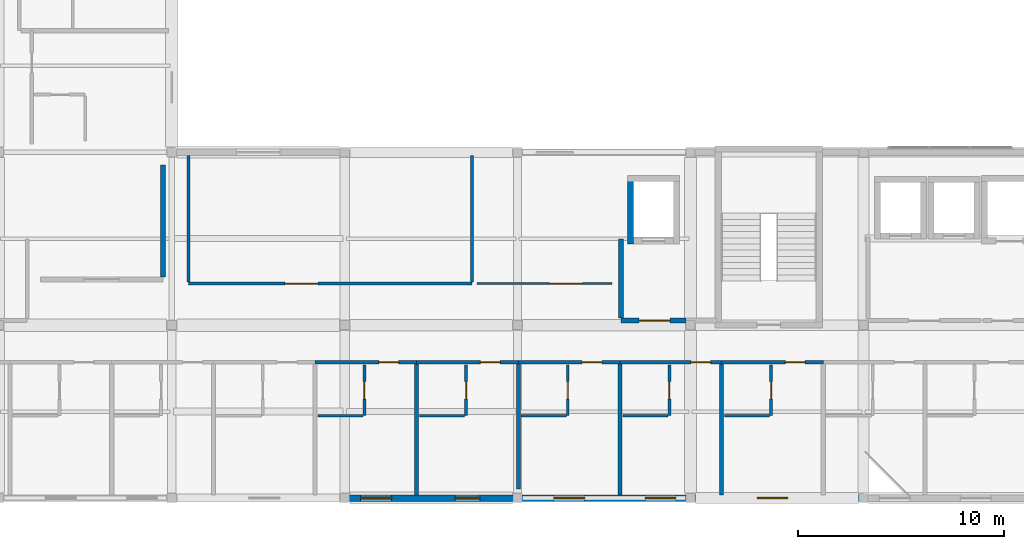
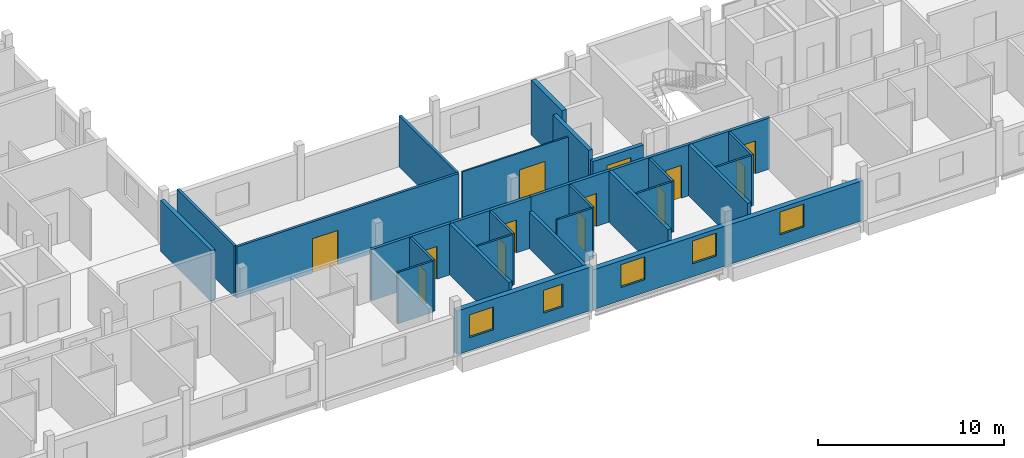
# One storey, part 12 of 19: 29 walls, 13 doors, 5 windows, 18 openings.
"""IFC4 building model written with IfcOpenShell, lengths in metres."""

import ifcopenshell
import ifcopenshell.guid

model = None  # the IFC model being written
_history = None  # IfcOwnerHistory: only IFC2X3 demands one
_inside = {}  # id of a spatial element -> (the spatial element, [elements in it])
_under = {}  # id of a project, library or spatial element -> (it, [spatial elements below it])
_declared = {}  # id of a project -> (the project, [libraries it declares])
_typed = {}  # id of a type object -> (the type object, [elements of that type])
_made_of = {}  # id of a material, layer set ... -> (it, [elements and type objects made of it])


def new_model(schema):
    """Start an empty IFC model of exactly this schema.

    Asked for "IFC4X3", IfcOpenShell would pick the latest addendum, in which some entities
    have other attributes; the version numbers below select the first issue.
    IFC2X3 requires an IfcOwnerHistory on every rooted entity: one is made here for all.
    """
    global model, _history
    if schema == "IFC4X3":
        model = ifcopenshell.file(schema_version=(4, 3, 0, 0))
    else:
        model = ifcopenshell.file(schema=schema)
    _inside.clear()
    _under.clear()
    _declared.clear()
    _typed.clear()
    _made_of.clear()
    _history = None
    if model.schema == "IFC2X3":
        org = make("IfcOrganization", Name="unknown")
        user = make(
            "IfcPersonAndOrganization",
            ThePerson=make("IfcPerson", FamilyName="unknown"),
            TheOrganization=org,
        )
        app = make(
            "IfcApplication",
            ApplicationDeveloper=org,
            Version="unknown",
            ApplicationFullName="unknown",
            ApplicationIdentifier="unknown",
        )
        _history = make(
            "IfcOwnerHistory",
            OwningUser=user,
            OwningApplication=app,
            ChangeAction="ADDED",
            CreationDate=0,
        )
    return model


def make(cls, **values):
    """One entity of the class cls with the attributes given. An attribute that is None is left unset."""
    return model.create_entity(
        cls, **{name: value for name, value in values.items() if value is not None}
    )


def rooted(cls, **values):
    """An entity with a GlobalId (a new one), such as an element, a storey or a relation."""
    return make(cls, GlobalId=ifcopenshell.guid.new(), OwnerHistory=_history, **values)


def si_unit(unit_type, name, prefix=None):
    """IfcSIUnit, for example si_unit("LENGTHUNIT", "METRE", prefix="MILLI")."""
    return make("IfcSIUnit", UnitType=unit_type, Prefix=prefix, Name=name)


def derived_unit(unit_type, elements):
    """IfcDerivedUnit: a product of units, each with its exponent."""
    return make(
        "IfcDerivedUnit",
        Elements=[
            make("IfcDerivedUnitElement", Unit=unit, Exponent=power)
            for unit, power in elements
        ],
        UnitType=unit_type,
    )


def assignment(units):
    """IfcUnitAssignment: the units of a project."""
    return None if units is None else make("IfcUnitAssignment", Units=units)


def point(xyz):
    """IfcCartesianPoint."""
    return None if xyz is None else make("IfcCartesianPoint", Coordinates=xyz)


def direction(xyz):
    """IfcDirection."""
    return None if xyz is None else make("IfcDirection", DirectionRatios=xyz)


def frame(location, z_axis=None, x_axis=None):
    """IfcAxis2Placement3D, a coordinate frame: its origin and axes. An axis left out is left unset."""
    return make(
        "IfcAxis2Placement3D",
        Location=point(location),
        Axis=direction(z_axis),
        RefDirection=direction(x_axis),
    )


def frame_2d(location, x_axis=None):
    """IfcAxis2Placement2D, a coordinate frame in the plane: its origin and x axis."""
    return make(
        "IfcAxis2Placement2D", Location=point(location), RefDirection=direction(x_axis)
    )


def origin():
    """The frame at (0, 0, 0) with its axes left unset."""
    return frame((0.0, 0.0, 0.0))


def place(relative_to, where):
    """IfcLocalPlacement: puts the frame where relative to a parent placement (None: the world)."""
    return make(
        "IfcLocalPlacement", PlacementRelTo=relative_to, RelativePlacement=where
    )


def context(
    kind, dimensions, precision=None, world=None, true_north=None, identifier=None
):
    """IfcGeometricRepresentationContext, for example the 3D "Model" context."""
    return make(
        "IfcGeometricRepresentationContext",
        ContextIdentifier=identifier,
        ContextType=kind,
        CoordinateSpaceDimension=dimensions,
        Precision=precision,
        WorldCoordinateSystem=world,
        TrueNorth=true_north,
    )


def subcontext(parent, identifier, kind, view, scale=None):
    """IfcGeometricRepresentationSubContext, for example "Body" below "Model"."""
    return make(
        "IfcGeometricRepresentationSubContext",
        ContextIdentifier=identifier,
        ContextType=kind,
        ParentContext=parent,
        TargetScale=scale,
        TargetView=view,
    )


def project(units=None, contexts=None):
    """IfcProject with its units and contexts."""
    return rooted(
        "IfcProject",
        Name="project",
        RepresentationContexts=contexts,
        UnitsInContext=assignment(units),
    )


def spatial(cls, under=None, at=None, **own):
    """A site, building, storey or space (cls), placed at a placement, below another one or the project."""
    s = rooted(cls, ObjectPlacement=at, **own)
    if under is not None:
        _under.setdefault(under.id(), (under, []))[1].append(s)
    return s


def profile(cls, at=None, kind="AREA", **sizes):
    """A parametric profile (cls). Its sizes go by their IFC names, for example OverallWidth=200.0."""
    return make(cls, ProfileType=kind, Position=at, **sizes)


def rectangle(**sizes):
    """IfcRectangleProfileDef."""
    return profile("IfcRectangleProfileDef", **sizes)


def extrude(swept, where, along, depth):
    """IfcExtrudedAreaSolid: the profile swept, set in the frame where, extruded along a direction by depth."""
    return make(
        "IfcExtrudedAreaSolid",
        SweptArea=swept,
        Position=where,
        ExtrudedDirection=direction(along),
        Depth=depth,
    )


def shape(context_of_items, identifier, shape_type, items):
    """IfcShapeRepresentation: the items that make up one representation, for example the "Body"."""
    return make(
        "IfcShapeRepresentation",
        ContextOfItems=context_of_items,
        RepresentationIdentifier=identifier,
        RepresentationType=shape_type,
        Items=items,
    )


def material(Name=None, Category=None):
    """IfcMaterial."""
    return make("IfcMaterial", Name=Name, Category=Category)


def layer(
    of_material, thickness, ventilated=None, Name=None, Category=None, Priority=None
):
    """IfcMaterialLayer: one layer of a wall or slab, of a material (None: an air gap)."""
    return make(
        "IfcMaterialLayer",
        Material=of_material,
        LayerThickness=thickness,
        IsVentilated=ventilated,
        Name=Name,
        Category=Category,
        Priority=Priority,
    )


def layer_set(layers, Name=None):
    """IfcMaterialLayerSet."""
    return make("IfcMaterialLayerSet", MaterialLayers=layers, LayerSetName=Name)


def made_of(thing, what):
    """Note that an element or type object is made of a material, layer set ...; save() writes the relation."""
    if what is not None:
        _made_of.setdefault(what.id(), (what, []))[1].append(thing)
    return thing


def type_object(cls, material=None, **own):
    """A type object (cls), such as IfcWallType, which elements share."""
    return made_of(rooted(cls, **own), material)


def element(
    cls,
    number,
    at=None,
    inside=None,
    cuts=None,
    type_object=None,
    material=None,
    context=None,
    identifier="Body",
    shape_type=None,
    held_by="IfcProductDefinitionShape",
    body=None,
    shapes=None,
    **own,
):
    """One element of the class cls, such as IfcWall. Its Tag is "e" and its number.

    at: its placement. inside: the storey or other place that contains it. cuts: it is an
    opening in that element (IfcRelVoidsElement). A single representation is given by context,
    identifier, shape_type and body (its items); several are given by shapes. held_by: the class
    of the entity that holds the representations. save() writes the other relations.
    """
    e = rooted(cls, Tag="e%d" % number, ObjectPlacement=at, **own)
    if body is not None:
        shapes = [shape(context, identifier, shape_type, body)]
    if shapes is not None:
        e.Representation = make(held_by, Representations=shapes)
    if inside is not None:
        _inside.setdefault(inside.id(), (inside, []))[1].append(e)
    if cuts is not None:
        rooted(
            "IfcRelVoidsElement", RelatingBuildingElement=cuts, RelatedOpeningElement=e
        )
    if type_object is not None:
        _typed.setdefault(type_object.id(), (type_object, []))[1].append(e)
    return made_of(e, material)


def fill(opening, filler):
    """IfcRelFillsElement: the door or window that sits in an opening."""
    return rooted(
        "IfcRelFillsElement",
        RelatingOpeningElement=opening,
        RelatedBuildingElement=filler,
    )


def aggregate(whole, parts):
    """IfcRelAggregates: a whole, such as a stair, and the parts it consists of."""
    return rooted("IfcRelAggregates", RelatingObject=whole, RelatedObjects=parts)


def save(model, path):
    """Write the relations noted so far, then the file.

    IfcRelAggregates (storeys below a building ...), IfcRelContainedInSpatialStructure (elements
    in a storey), IfcRelDefinesByType, IfcRelAssociatesMaterial and IfcRelDeclares: one each for
    every whole, place, type object, material and project.
    """
    for whole, parts in _under.values():
        aggregate(whole, parts)
    for where, things in _inside.values():
        rooted(
            "IfcRelContainedInSpatialStructure",
            RelatedElements=things,
            RelatingStructure=where,
        )
    for kind, things in _typed.values():
        rooted("IfcRelDefinesByType", RelatedObjects=things, RelatingType=kind)
    for what, things in _made_of.values():
        rooted("IfcRelAssociatesMaterial", RelatedObjects=things, RelatingMaterial=what)
    for by, libraries in _declared.values():
        rooted("IfcRelDeclares", RelatingContext=by, RelatedDefinitions=libraries)
    model.write(path)


model = new_model("IFC4")

# Units and contexts
model_context = context("Model", 3, precision=1e-05, world=origin(), true_north=direction((0.0, 1.0)))
body_context = subcontext(model_context, "Body", "Model", "MODEL_VIEW")
ifc_project = project(units=[si_unit("LENGTHUNIT", "METRE"), si_unit("AREAUNIT", "SQUARE_METRE"), si_unit("VOLUMEUNIT", "CUBIC_METRE"), si_unit("PLANEANGLEUNIT", "RADIAN"), si_unit("MASSUNIT", "GRAM", prefix="KILO"), derived_unit("THERMALTRANSMITTANCEUNIT", [(si_unit("POWERUNIT", "WATT"), 1), (si_unit("LENGTHUNIT", "METRE"), -2), (si_unit("THERMODYNAMICTEMPERATUREUNIT", "KELVIN"), -1)])], contexts=[model_context])

# Site, building, storey
site_placement = place(None, origin())
site = spatial("IfcSite", under=ifc_project, at=site_placement, CompositionType="ELEMENT")
building_placement = place(site_placement, origin())
building = spatial("IfcBuilding", under=site, at=building_placement, Name="Barrovel Congress Hotel", CompositionType="ELEMENT")
storey_placement = place(building_placement, frame((0.0, 0.0, 43.5)))
storey = spatial("IfcBuildingStorey", under=building, at=storey_placement, Name="L11", CompositionType="ELEMENT", Elevation=43.5)

# Wall, openings, windows
ifc_material_1 = material(Name="Fired Clay Brick Masonry", Category="masonry")
ifc_layer_1 = layer(ifc_material_1, 0.320068359375)
ifc_layer_set_1 = layer_set([ifc_layer_1], Name="Fired Clay Brick Masonry")
wall_type_1 = type_object("IfcWallType", Name="EW-BRK320", PredefinedType="STANDARD", material=ifc_layer_set_1)
wall_1_placement = place(storey_placement, frame((58.800048828125, 4.199951171875, 0.0), z_axis=(0.0, 0.0, 1.0), x_axis=(1.0, 0.0, 0.0)))
wall_1 = element("IfcWall", 1, at=wall_1_placement, inside=storey, type_object=wall_type_1, Name="EW:L11:HS-S:P05", PredefinedType="STANDARD", context=body_context, shape_type="SweptSolid", body=[
    extrude(rectangle(XDim=8.39990234375, YDim=0.320068359375, at=frame_2d((4.199951171875, 0.0))), origin(), (0.0, 0.0, 1.0), 2.860107421875),
])
opening_1_placement = place(wall_1_placement, frame((0.78125, 0.0, 0.85009765625)))
opening_1 = element("IfcOpeningElement", 2, at=opening_1_placement, cuts=wall_1, Name="Opening WN-07", PredefinedType="OPENING", context=body_context, shape_type="SweptSolid", body=[
    extrude(rectangle(XDim=1.5, YDim=1.5, at=frame_2d((0.75, 0.75))), frame((0.0, 0.169921875, 0.0), z_axis=(0.0, -1.0, 0.0), x_axis=(1.0, 0.0, 0.0)), (0.0, 0.0, 1.0), 0.340087890625),
])
opening_2_placement = place(wall_1_placement, frame((5.36865234375, 0.0, 0.85009765625)))
opening_2 = element("IfcOpeningElement", 3, at=opening_2_placement, cuts=wall_1, Name="Opening WN-06", PredefinedType="OPENING", context=body_context, shape_type="SweptSolid", body=[
    extrude(rectangle(XDim=1.199951171875, YDim=1.5, at=frame_2d((0.60009765625, 0.75))), frame((0.0, 0.169921875, 0.0), z_axis=(0.0, -1.0, 0.0), x_axis=(1.0, 0.0, 0.0)), (0.0, 0.0, 1.0), 0.340087890625),
])
ifc_material_2 = material(Name="Double Low-E Insulated Glazing", Category="glass")
window_type_1 = type_object("IfcWindowType", Name="WIN-WN-06", PartitioningType="SINGLE_PANEL", PredefinedType="WINDOW", material=ifc_material_2)
window_1_placement = place(opening_2_placement, origin())
window_1 = element("IfcWindow", 4, at=window_1_placement, inside=storey, type_object=window_type_1, Name="WIN:L11:U10", OverallHeight=1.5, OverallWidth=1.199951171875, PartitioningType="SINGLE_PANEL", PredefinedType="WINDOW", context=body_context, shape_type="SweptSolid", body=[
    extrude(rectangle(XDim=1.199951171875, YDim=1.5, at=frame_2d((0.60009765625, 0.75))), frame((0.0, 0.030029296875, 0.0), z_axis=(0.0, -1.0, 0.0), x_axis=(1.0, 0.0, 0.0)), (0.0, 0.0, 1.0), 0.06005859375),
])
fill(opening_2, window_1)
window_type_2 = type_object("IfcWindowType", Name="WIN-WN-07", PartitioningType="SINGLE_PANEL", PredefinedType="WINDOW", material=ifc_material_2)
window_2_placement = place(opening_1_placement, origin())
window_2 = element("IfcWindow", 5, at=window_2_placement, inside=storey, type_object=window_type_2, Name="WIN:L11:U09", OverallHeight=1.5, OverallWidth=1.5, PartitioningType="SINGLE_PANEL", PredefinedType="WINDOW", context=body_context, shape_type="SweptSolid", body=[
    extrude(rectangle(XDim=1.5, YDim=1.5, at=frame_2d((0.75, 0.75))), frame((0.0, 0.030029296875, 0.0), z_axis=(0.0, -1.0, 0.0), x_axis=(1.0, 0.0, 0.0)), (0.0, 0.0, 1.0), 0.06005859375),
])
fill(opening_1, window_2)

wall_2_placement = place(storey_placement, frame((67.199951171875, 4.199951171875, 0.0), z_axis=(0.0, 0.0, 1.0), x_axis=(1.0, 0.0, 0.0)))
wall_2 = element("IfcWall", 6, at=wall_2_placement, inside=storey, type_object=wall_type_1, Name="EW:L11:HS-S:P06", PredefinedType="STANDARD", context=body_context, shape_type="SweptSolid", body=[
    extrude(rectangle(XDim=16.800048828125, YDim=0.320068359375, at=frame_2d((8.39990234375, 0.0))), origin(), (0.0, 0.0, 1.0), 2.610107421875),
])
opening_3_placement = place(wall_2_placement, frame((1.756103515625, 0.0, 0.85009765625)))
opening_3 = element("IfcOpeningElement", 7, at=opening_3_placement, cuts=wall_2, Name="Opening WN-07", PredefinedType="OPENING", context=body_context, shape_type="SweptSolid", body=[
    extrude(rectangle(XDim=1.5, YDim=1.5, at=frame_2d((0.75, 0.75))), frame((0.0, 0.169921875, 0.0), z_axis=(0.0, -1.0, 0.0), x_axis=(1.0, 0.0, 0.0)), (0.0, 0.0, 1.0), 0.340087890625),
])
opening_4_placement = place(wall_2_placement, frame((6.193603515625, 0.0, 0.85009765625)))
opening_4 = element("IfcOpeningElement", 8, at=opening_4_placement, cuts=wall_2, Name="Opening WN-07", PredefinedType="OPENING", context=body_context, shape_type="SweptSolid", body=[
    extrude(rectangle(XDim=1.5, YDim=1.5, at=frame_2d((0.75, 0.75))), frame((0.0, 0.169921875, 0.0), z_axis=(0.0, -1.0, 0.0), x_axis=(1.0, 0.0, 0.0)), (0.0, 0.0, 1.0), 0.340087890625),
])
opening_5_placement = place(wall_2_placement, frame((11.631103515625, 0.0, 0.85009765625)))
opening_5 = element("IfcOpeningElement", 9, at=opening_5_placement, cuts=wall_2, Name="Opening WN-07", PredefinedType="OPENING", context=body_context, shape_type="SweptSolid", body=[
    extrude(rectangle(XDim=1.5, YDim=1.5, at=frame_2d((0.75, 0.75))), frame((0.0, 0.169921875, 0.0), z_axis=(0.0, -1.0, 0.0), x_axis=(1.0, 0.0, 0.0)), (0.0, 0.0, 1.0), 0.340087890625),
])
window_3_placement = place(opening_3_placement, origin())
window_3 = element("IfcWindow", 10, at=window_3_placement, inside=storey, type_object=window_type_2, Name="WIN:L11:U11", OverallHeight=1.5, OverallWidth=1.5, PartitioningType="SINGLE_PANEL", PredefinedType="WINDOW", context=body_context, shape_type="SweptSolid", body=[
    extrude(rectangle(XDim=1.5, YDim=1.5, at=frame_2d((0.75, 0.75))), frame((0.0, 0.030029296875, 0.0), z_axis=(0.0, -1.0, 0.0), x_axis=(1.0, 0.0, 0.0)), (0.0, 0.0, 1.0), 0.06005859375),
])
fill(opening_3, window_3)
window_4_placement = place(opening_4_placement, origin())
window_4 = element("IfcWindow", 11, at=window_4_placement, inside=storey, type_object=window_type_2, Name="WIN:L11:U12", OverallHeight=1.5, OverallWidth=1.5, PartitioningType="SINGLE_PANEL", PredefinedType="WINDOW", context=body_context, shape_type="SweptSolid", body=[
    extrude(rectangle(XDim=1.5, YDim=1.5, at=frame_2d((0.75, 0.75))), frame((0.0, 0.030029296875, 0.0), z_axis=(0.0, -1.0, 0.0), x_axis=(1.0, 0.0, 0.0)), (0.0, 0.0, 1.0), 0.06005859375),
])
fill(opening_4, window_4)
window_5_placement = place(opening_5_placement, origin())
window_5 = element("IfcWindow", 12, at=window_5_placement, inside=storey, type_object=window_type_2, Name="WIN:L11:U13", OverallHeight=1.5, OverallWidth=1.5, PartitioningType="SINGLE_PANEL", PredefinedType="WINDOW", context=body_context, shape_type="SweptSolid", body=[
    extrude(rectangle(XDim=1.5, YDim=1.5, at=frame_2d((0.75, 0.75))), frame((0.0, 0.030029296875, 0.0), z_axis=(0.0, -1.0, 0.0), x_axis=(1.0, 0.0, 0.0)), (0.0, 0.0, 1.0), 0.06005859375),
])
fill(opening_5, window_5)

# Wall, opening, door
ifc_material_3 = material(Name="Gypsum Acoustic Stud", Category="gypsum")
ifc_layer_2 = layer(ifc_material_3, 0.179931640625)
ifc_layer_set_2 = layer_set([ifc_layer_2], Name="Gypsum Acoustic Stud")
wall_type_2 = type_object("IfcWallType", Name="PW-ACU-180", PredefinedType="PARTITIONING", material=ifc_layer_set_2)
wall_3_placement = place(storey_placement, frame((57.362548828125, 10.800048828125, 0.0), z_axis=(0.0, 0.0, 1.0), x_axis=(1.0, 0.0, 0.0)))
wall_3 = element("IfcWall", 13, at=wall_3_placement, inside=storey, type_object=wall_type_2, Name="PW:L11:U09:COR", PredefinedType="PARTITIONING", context=body_context, shape_type="SweptSolid", body=[
    extrude(rectangle(XDim=4.9375, YDim=0.179931640625, at=frame_2d((2.46875, 0.0))), origin(), (0.0, 0.0, 1.0), 3.35498046875),
])
opening_6_placement = place(wall_3_placement, frame((3.09814453125, 0.0, 0.0)))
opening_6 = element("IfcOpeningElement", 14, at=opening_6_placement, cuts=wall_3, Name="Opening ID-HTL", PredefinedType="OPENING", context=body_context, shape_type="SweptSolid", body=[
    extrude(rectangle(XDim=0.9599609375, YDim=2.14990234375, at=frame_2d((0.47998046875, 1.074951171875))), frame((0.0, 0.10009765625, 0.0), z_axis=(0.0, -1.0, 0.0), x_axis=(1.0, 0.0, 0.0)), (0.0, 0.0, 1.0), 0.199951171875),
])
ifc_material_4 = material(Name="Solid Oak Acoustic Timber Door", Category="wood")
door_type_1 = type_object("IfcDoorType", Name="IDR-ID-HTL", OperationType="NOTDEFINED", PredefinedType="DOOR", material=ifc_material_4)
door_1_placement = place(opening_6_placement, origin())
door_1 = element("IfcDoor", 15, at=door_1_placement, inside=storey, type_object=door_type_1, Name="DR:L11:U09:ENT", OperationType="SINGLE_SWING_RIGHT", OverallHeight=2.14990234375, OverallWidth=0.9599609375, PredefinedType="DOOR", context=body_context, shape_type="SweptSolid", body=[
    extrude(rectangle(XDim=0.9599609375, YDim=2.14990234375, at=frame_2d((0.47998046875, 1.074951171875))), frame((0.0, 0.02490234375, 0.0), z_axis=(0.0, -1.0, 0.0), x_axis=(1.0, 0.0, 0.0)), (0.0, 0.0, 1.0), 0.050048828125),
])
fill(opening_6, door_1)

wall_4_placement = place(storey_placement, frame((62.300048828125, 10.800048828125, 0.0), z_axis=(0.0, 0.0, 1.0), x_axis=(1.0, 0.0, 0.0)))
wall_4 = element("IfcWall", 16, at=wall_4_placement, inside=storey, type_object=wall_type_2, Name="PW:L11:U10:COR", PredefinedType="PARTITIONING", context=body_context, shape_type="SweptSolid", body=[
    extrude(rectangle(XDim=4.9375, YDim=0.179931640625, at=frame_2d((2.46875, 0.0))), origin(), (0.0, 0.0, 1.0), 3.35498046875),
])
opening_7_placement = place(wall_4_placement, frame((3.098388671875, 0.0, 0.0)))
opening_7 = element("IfcOpeningElement", 17, at=opening_7_placement, cuts=wall_4, Name="Opening ID-HTL", PredefinedType="OPENING", context=body_context, shape_type="SweptSolid", body=[
    extrude(rectangle(XDim=0.9599609375, YDim=2.14990234375, at=frame_2d((0.47998046875, 1.074951171875))), frame((0.0, 0.10009765625, 0.0), z_axis=(0.0, -1.0, 0.0), x_axis=(1.0, 0.0, 0.0)), (0.0, 0.0, 1.0), 0.199951171875),
])
door_2_placement = place(opening_7_placement, origin())
door_2 = element("IfcDoor", 18, at=door_2_placement, inside=storey, type_object=door_type_1, Name="DR:L11:U10:ENT", OperationType="SINGLE_SWING_RIGHT", OverallHeight=2.14990234375, OverallWidth=0.9599609375, PredefinedType="DOOR", context=body_context, shape_type="SweptSolid", body=[
    extrude(rectangle(XDim=0.9599609375, YDim=2.14990234375, at=frame_2d((0.47998046875, 1.074951171875))), frame((0.0, 0.02490234375, 0.0), z_axis=(0.0, -1.0, 0.0), x_axis=(1.0, 0.0, 0.0)), (0.0, 0.0, 1.0), 0.050048828125),
])
fill(opening_7, door_2)

wall_5_placement = place(storey_placement, frame((67.237548828125, 10.800048828125, 0.0), z_axis=(0.0, 0.0, 1.0), x_axis=(1.0, 0.0, 0.0)))
wall_5 = element("IfcWall", 19, at=wall_5_placement, inside=storey, type_object=wall_type_2, Name="PW:L11:U11:COR", PredefinedType="PARTITIONING", context=body_context, shape_type="SweptSolid", body=[
    extrude(rectangle(XDim=4.9375, YDim=0.179931640625, at=frame_2d((2.46875, 0.0))), origin(), (0.0, 0.0, 1.0), 3.35498046875),
])
opening_8_placement = place(wall_5_placement, frame((3.098388671875, 0.0, 0.0)))
opening_8 = element("IfcOpeningElement", 20, at=opening_8_placement, cuts=wall_5, Name="Opening ID-HTL", PredefinedType="OPENING", context=body_context, shape_type="SweptSolid", body=[
    extrude(rectangle(XDim=0.9599609375, YDim=2.14990234375, at=frame_2d((0.47998046875, 1.074951171875))), frame((0.0, 0.10009765625, 0.0), z_axis=(0.0, -1.0, 0.0), x_axis=(1.0, 0.0, 0.0)), (0.0, 0.0, 1.0), 0.199951171875),
])
door_3_placement = place(opening_8_placement, origin())
door_3 = element("IfcDoor", 21, at=door_3_placement, inside=storey, type_object=door_type_1, Name="DR:L11:U11:ENT", OperationType="SINGLE_SWING_RIGHT", OverallHeight=2.14990234375, OverallWidth=0.9599609375, PredefinedType="DOOR", context=body_context, shape_type="SweptSolid", body=[
    extrude(rectangle(XDim=0.9599609375, YDim=2.14990234375, at=frame_2d((0.47998046875, 1.074951171875))), frame((0.0, 0.02490234375, 0.0), z_axis=(0.0, -1.0, 0.0), x_axis=(1.0, 0.0, 0.0)), (0.0, 0.0, 1.0), 0.050048828125),
])
fill(opening_8, door_3)

wall_6_placement = place(storey_placement, frame((72.175048828125, 10.800048828125, 0.0), z_axis=(0.0, 0.0, 1.0), x_axis=(1.0, 0.0, 0.0)))
wall_6 = element("IfcWall", 22, at=wall_6_placement, inside=storey, type_object=wall_type_2, Name="PW:L11:U12:COR", PredefinedType="PARTITIONING", context=body_context, shape_type="SweptSolid", body=[
    extrude(rectangle(XDim=4.9375, YDim=0.179931640625, at=frame_2d((2.46875, 0.0))), origin(), (0.0, 0.0, 1.0), 3.35498046875),
])
opening_9_placement = place(wall_6_placement, frame((3.4482421875, 0.0, 0.0)))
opening_9 = element("IfcOpeningElement", 23, at=opening_9_placement, cuts=wall_6, Name="Opening ID-HTL", PredefinedType="OPENING", context=body_context, shape_type="SweptSolid", body=[
    extrude(rectangle(XDim=0.9599609375, YDim=2.14990234375, at=frame_2d((0.47998046875, 1.074951171875))), frame((0.0, 0.10009765625, 0.0), z_axis=(0.0, -1.0, 0.0), x_axis=(1.0, 0.0, 0.0)), (0.0, 0.0, 1.0), 0.199951171875),
])
door_4_placement = place(opening_9_placement, origin())
door_4 = element("IfcDoor", 24, at=door_4_placement, inside=storey, type_object=door_type_1, Name="DR:L11:U12:ENT", OperationType="SINGLE_SWING_RIGHT", OverallHeight=2.14990234375, OverallWidth=0.9599609375, PredefinedType="DOOR", context=body_context, shape_type="SweptSolid", body=[
    extrude(rectangle(XDim=0.9599609375, YDim=2.14990234375, at=frame_2d((0.47998046875, 1.074951171875))), frame((0.0, 0.02490234375, 0.0), z_axis=(0.0, -1.0, 0.0), x_axis=(1.0, 0.0, 0.0)), (0.0, 0.0, 1.0), 0.050048828125),
])
fill(opening_9, door_4)

wall_7_placement = place(storey_placement, frame((77.112548828125, 10.800048828125, 0.0), z_axis=(0.0, 0.0, 1.0), x_axis=(1.0, 0.0, 0.0)))
wall_7 = element("IfcWall", 25, at=wall_7_placement, inside=storey, type_object=wall_type_2, Name="PW:L11:U13:COR", PredefinedType="PARTITIONING", context=body_context, shape_type="SweptSolid", body=[
    extrude(rectangle(XDim=4.9375, YDim=0.179931640625, at=frame_2d((2.46875, 0.0))), origin(), (0.0, 0.0, 1.0), 3.35498046875),
])
opening_10_placement = place(wall_7_placement, frame((3.098388671875, 0.0, 0.0)))
opening_10 = element("IfcOpeningElement", 26, at=opening_10_placement, cuts=wall_7, Name="Opening ID-HTL", PredefinedType="OPENING", context=body_context, shape_type="SweptSolid", body=[
    extrude(rectangle(XDim=0.9599609375, YDim=2.14990234375, at=frame_2d((0.47998046875, 1.074951171875))), frame((0.0, 0.10009765625, 0.0), z_axis=(0.0, -1.0, 0.0), x_axis=(1.0, 0.0, 0.0)), (0.0, 0.0, 1.0), 0.199951171875),
])
door_5_placement = place(opening_10_placement, origin())
door_5 = element("IfcDoor", 27, at=door_5_placement, inside=storey, type_object=door_type_1, Name="DR:L11:U13:ENT", OperationType="SINGLE_SWING_RIGHT", OverallHeight=2.14990234375, OverallWidth=0.9599609375, PredefinedType="DOOR", context=body_context, shape_type="SweptSolid", body=[
    extrude(rectangle(XDim=0.9599609375, YDim=2.14990234375, at=frame_2d((0.47998046875, 1.074951171875))), frame((0.0, 0.02490234375, 0.0), z_axis=(0.0, -1.0, 0.0), x_axis=(1.0, 0.0, 0.0)), (0.0, 0.0, 1.0), 0.050048828125),
])
fill(opening_10, door_5)

# Walls
ifc_layer_3 = layer(ifc_material_3, 0.1201171875)
ifc_layer_set_3 = layer_set([ifc_layer_3], Name="Gypsum Acoustic Stud")
wall_type_3 = type_object("IfcWallType", Name="PW-INT-120", PredefinedType="PARTITIONING", material=ifc_layer_set_3)
for number, where, z_axis, x_axis, name in (
    (28, (57.50244140625, 8.199951171875, 0.0), (0.0, 0.0, 1.0), (1.0, 0.0, 0.0), "PW:L11:U09:B2"),
    (29, (62.43994140625, 8.199951171875, 0.0), (0.0, 0.0, 1.0), (1.0, 0.0, 0.0), "PW:L11:U10:B2"),
    (30, (67.37744140625, 8.199951171875, 0.0), (0.0, 0.0, 1.0), (1.0, 0.0, 0.0), "PW:L11:U11:B2"),
    (31, (72.31494140625, 8.199951171875, 0.0), (0.0, 0.0, 1.0), (1.0, 0.0, 0.0), "PW:L11:U12:B2"),
    (32, (77.25244140625, 8.199951171875, 0.0), (0.0, 0.0, 1.0), (1.0, 0.0, 0.0), "PW:L11:U13:B2"),
):
    element("IfcWall", number, at=place(storey_placement, frame(where, z_axis=z_axis, x_axis=x_axis)), inside=storey, type_object=wall_type_3, Name=name, PredefinedType="PARTITIONING", context=body_context, shape_type="SweptSolid", body=[
        extrude(rectangle(XDim=2.18994140625, YDim=0.1201171875, at=frame_2d((1.094970703125, 0.0))), origin(), (0.0, 0.0, 1.0), 3.35498046875),
    ])

# Wall, opening, door
ifc_layer_4 = layer(ifc_material_3, 0.10009765625)
ifc_layer_set_4 = layer_set([ifc_layer_4], Name="Gypsum Acoustic Stud")
wall_type_4 = type_object("IfcWallType", Name="PW-LGT-100", PredefinedType="PARTITIONING", material=ifc_layer_set_4)
wall_8_placement = place(storey_placement, frame((65.219970703125, 14.6201171875, 0.0), z_axis=(0.0, 0.0, 1.0), x_axis=(1.0, 0.0, 0.0)))
wall_8 = element("IfcWall", 33, at=wall_8_placement, inside=storey, type_object=wall_type_4, Name="RW:SP:L11:VIP-BD:S", PredefinedType="PARTITIONING", context=body_context, shape_type="SweptSolid", body=[
    extrude(rectangle(XDim=6.56005859375, YDim=0.10009765625, at=frame_2d((3.280029296875, 0.0))), origin(), (0.0, 0.0, 1.0), 3.35498046875),
])
opening_11_placement = place(wall_8_placement, frame((3.530029296875, 0.0, 0.0)))
opening_11 = element("IfcOpeningElement", 34, at=opening_11_placement, cuts=wall_8, Name="Opening ID-MTG", PredefinedType="OPENING", context=body_context, shape_type="SweptSolid", body=[
    extrude(rectangle(XDim=1.60009765625, YDim=2.25, at=frame_2d((0.800048828125, 1.125))), frame((0.0, 0.06005859375, 0.0), z_axis=(0.0, -1.0, 0.0), x_axis=(1.0, 0.0, 0.0)), (0.0, 0.0, 1.0), 0.1201171875),
])
door_type_2 = type_object("IfcDoorType", Name="IDR-ID-MTG", OperationType="NOTDEFINED", PredefinedType="DOOR", material=ifc_material_4)
door_6_placement = place(opening_11_placement, origin())
door_6 = element("IfcDoor", 35, at=door_6_placement, inside=storey, type_object=door_type_2, Name="RD:SP:L11:VIP-BD", OperationType="DOUBLE_DOOR_SINGLE_SWING", OverallHeight=2.25, OverallWidth=1.60009765625, PredefinedType="DOOR", context=body_context, shape_type="SweptSolid", body=[
    extrude(rectangle(XDim=1.60009765625, YDim=2.25, at=frame_2d((0.800048828125, 1.125))), frame((0.0, 0.02490234375, 0.0), z_axis=(0.0, -1.0, 0.0), x_axis=(1.0, 0.0, 0.0)), (0.0, 0.0, 1.0), 0.050048828125),
])
fill(opening_11, door_6)

# Walls
ifc_layer_5 = layer(ifc_material_1, 0.199951171875)
ifc_layer_set_5 = layer_set([ifc_layer_5], Name="Fired Clay Brick Masonry")
wall_type_5 = type_object("IfcWallType", Name="PW-MAS-200", PredefinedType="PARTITIONING", material=ifc_layer_set_5)
wall_9_placement = place(storey_placement, frame((62.300048828125, 4.360107421875, 0.0), z_axis=(0.0, 0.0, 1.0), x_axis=(0.0, 1.0, 0.0)))
element("IfcWall", 36, at=wall_9_placement, inside=storey, type_object=wall_type_5, Name="PW:L11:U09:DEM", PredefinedType="PARTITIONING", context=body_context, shape_type="SweptSolid", body=[
    extrude(rectangle(XDim=6.349853515625, YDim=0.199951171875, at=frame_2d((3.1748046875, 0.0))), origin(), (0.0, 0.0, 1.0), 3.35498046875),
])
wall_10_placement = place(storey_placement, frame((67.237548828125, 4.64990234375, 0.0), z_axis=(0.0, 0.0, 1.0), x_axis=(0.0, 1.0, 0.0)))
element("IfcWall", 37, at=wall_10_placement, inside=storey, type_object=wall_type_5, Name="PW:L11:U10:DEM", PredefinedType="PARTITIONING", context=body_context, shape_type="SweptSolid", body=[
    extrude(rectangle(XDim=6.06005859375, YDim=0.199951171875, at=frame_2d((3.030029296875, 0.0))), origin(), (0.0, 0.0, 1.0), 2.409912109375),
])
for number, where, z_axis, x_axis, name in (
    (38, (72.175048828125, 4.360107421875, 0.0), (0.0, 0.0, 1.0), (0.0, 1.0, 0.0), "PW:L11:U11:DEM"),
    (39, (77.112548828125, 4.360107421875, 0.0), (0.0, 0.0, 1.0), (0.0, 1.0, 0.0), "PW:L11:U12:DEM"),
):
    element("IfcWall", number, at=place(storey_placement, frame(where, z_axis=z_axis, x_axis=x_axis)), inside=storey, type_object=wall_type_5, Name=name, PredefinedType="PARTITIONING", context=body_context, shape_type="SweptSolid", body=[
        extrude(rectangle(XDim=6.349853515625, YDim=0.199951171875, at=frame_2d((3.1748046875, 0.0))), origin(), (0.0, 0.0, 1.0), 3.35498046875),
    ])

# Wall, opening, door
ifc_layer_6 = layer(ifc_material_1, 0.239990234375)
ifc_layer_set_6 = layer_set([ifc_layer_6], Name="Fired Clay Brick Masonry")
wall_type_6 = type_object("IfcWallType", Name="PW-MAS-240", PredefinedType="PARTITIONING", material=ifc_layer_set_6)
wall_11_placement = place(storey_placement, frame((72.219970703125, 12.820068359375, 0.0), z_axis=(0.0, 0.0, 1.0), x_axis=(1.0, 0.0, 0.0)))
wall_11 = element("IfcWall", 40, at=wall_11_placement, inside=storey, type_object=wall_type_6, Name="RW:SP:L11:FFL-2:S", PredefinedType="PARTITIONING", context=body_context, shape_type="SweptSolid", body=[
    extrude(rectangle(XDim=3.155029296875, YDim=0.239990234375, at=frame_2d((1.57763671875, 0.0))), origin(), (0.0, 0.0, 1.0), 2.7099609375),
])
opening_12_placement = place(wall_11_placement, frame((0.8798828125, 0.0, 0.0)))
opening_12 = element("IfcOpeningElement", 41, at=opening_12_placement, cuts=wall_11, Name="Opening ID-FFL", PredefinedType="OPENING", context=body_context, shape_type="SweptSolid", body=[
    extrude(rectangle(XDim=1.5, YDim=2.14990234375, at=frame_2d((0.75, 1.074951171875))), frame((0.0, 0.1298828125, 0.0), z_axis=(0.0, -1.0, 0.0), x_axis=(1.0, 0.0, 0.0)), (0.0, 0.0, 1.0), 0.260009765625),
])
ifc_material_5 = material(Name="Painted Hollow-Metal Steel Door", Category="steel")
door_type_3 = type_object("IfcDoorType", Name="IDR-ID-FFL", OperationType="NOTDEFINED", PredefinedType="DOOR", material=ifc_material_5)
door_7_placement = place(opening_12_placement, origin())
door_7 = element("IfcDoor", 42, at=door_7_placement, inside=storey, type_object=door_type_3, Name="RD:SP:L11:FFL-2", OperationType="DOUBLE_DOOR_SINGLE_SWING", OverallHeight=2.14990234375, OverallWidth=1.5, PredefinedType="DOOR", context=body_context, shape_type="SweptSolid", body=[
    extrude(rectangle(XDim=1.5, YDim=2.14990234375, at=frame_2d((0.75, 1.074951171875))), frame((0.0, 0.02490234375, 0.0), z_axis=(0.0, -1.0, 0.0), x_axis=(1.0, 0.0, 0.0)), (0.0, 0.0, 1.0), 0.050048828125),
])
fill(opening_12, door_7)

# Walls
wall_12_placement = place(storey_placement, frame((72.219970703125, 12.93994140625, 0.0), z_axis=(0.0, 0.0, 1.0), x_axis=(0.0, 1.0, 0.0)))
element("IfcWall", 43, at=wall_12_placement, inside=storey, type_object=wall_type_6, Name="RW:SP:L11:FFL-2:W", PredefinedType="PARTITIONING", context=body_context, shape_type="SweptSolid", body=[
    extrude(rectangle(XDim=3.840087890625, YDim=0.239990234375, at=frame_2d((1.919921875, 0.0))), origin(), (0.0, 0.0, 1.0), 3.35498046875),
])
wall_13_placement = place(storey_placement, frame((49.97998046875, 14.93994140625, 0.0), z_axis=(0.0, 0.0, 1.0), x_axis=(0.0, 1.0, 0.0)))
element("IfcWall", 44, at=wall_13_placement, inside=storey, type_object=wall_type_6, Name="RW:SP:L11:LINEN:E", PredefinedType="PARTITIONING", context=body_context, shape_type="SweptSolid", body=[
    extrude(rectangle(XDim=5.43994140625, YDim=0.239990234375, at=frame_2d((2.719970703125, 0.0))), origin(), (0.0, 0.0, 1.0), 3.35498046875),
])

# Wall, opening, door
ifc_layer_7 = layer(ifc_material_3, 0.14990234375)
ifc_layer_set_7 = layer_set([ifc_layer_7], Name="Gypsum Acoustic Stud")
wall_type_7 = type_object("IfcWallType", Name="PW-STD-150", PredefinedType="PARTITIONING", material=ifc_layer_set_7)
wall_14_placement = place(storey_placement, frame((51.219970703125, 14.6201171875, 0.0), z_axis=(0.0, 0.0, 1.0), x_axis=(1.0, 0.0, 0.0)))
wall_14 = element("IfcWall", 45, at=wall_14_placement, inside=storey, type_object=wall_type_7, Name="RW:SP:L11:CLUB:S", PredefinedType="PARTITIONING", context=body_context, shape_type="SweptSolid", body=[
    extrude(rectangle(XDim=13.760009765625, YDim=0.14990234375, at=frame_2d((6.8798828125, 0.0))), origin(), (0.0, 0.0, 1.0), 3.35498046875),
])
opening_13_placement = place(wall_14_placement, frame((4.679931640625, 0.0, 0.0)))
opening_13 = element("IfcOpeningElement", 46, at=opening_13_placement, cuts=wall_14, Name="Opening ID-MTG", PredefinedType="OPENING", context=body_context, shape_type="SweptSolid", body=[
    extrude(rectangle(XDim=1.60009765625, YDim=2.25, at=frame_2d((0.800048828125, 1.125))), frame((0.0, 0.0849609375, 0.0), z_axis=(0.0, -1.0, 0.0), x_axis=(1.0, 0.0, 0.0)), (0.0, 0.0, 1.0), 0.169921875),
])
door_8_placement = place(opening_13_placement, origin())
door_8 = element("IfcDoor", 47, at=door_8_placement, inside=storey, type_object=door_type_2, Name="RD:SP:L11:CLUB", OperationType="DOUBLE_DOOR_SINGLE_SWING", OverallHeight=2.25, OverallWidth=1.60009765625, PredefinedType="DOOR", context=body_context, shape_type="SweptSolid", body=[
    extrude(rectangle(XDim=1.60009765625, YDim=2.25, at=frame_2d((0.800048828125, 1.125))), frame((0.0, 0.02490234375, 0.0), z_axis=(0.0, -1.0, 0.0), x_axis=(1.0, 0.0, 0.0)), (0.0, 0.0, 1.0), 0.050048828125),
])
fill(opening_13, door_8)

# Walls
for number, where, z_axis, x_axis, name in (
    (48, (51.219970703125, 14.695068359375, 0.0), (0.0, 0.0, 1.0), (0.0, 1.0, 0.0), "RW:SP:L11:CLUB:W"),
    (49, (64.97998046875, 14.695068359375, 0.0), (0.0, 0.0, 1.0), (0.0, 1.0, 0.0), "RW:SP:L11:CLUB:E"),
):
    element("IfcWall", number, at=place(storey_placement, frame(where, z_axis=z_axis, x_axis=x_axis)), inside=storey, type_object=wall_type_7, Name=name, PredefinedType="PARTITIONING", context=body_context, shape_type="SweptSolid", body=[
        extrude(rectangle(XDim=6.14501953125, YDim=0.14990234375, at=frame_2d((3.072509765625, 0.0))), origin(), (0.0, 0.0, 1.0), 3.35498046875),
    ])

# Wall, opening, door
ifc_material_6 = material(Name="Gypsum Moisture Board", Category="gypsum")
ifc_layer_8 = layer(ifc_material_6, 0.139892578125)
ifc_layer_set_8 = layer_set([ifc_layer_8], Name="Gypsum Moisture Board")
wall_type_8 = type_object("IfcWallType", Name="PW-WET-140", PredefinedType="PARTITIONING", material=ifc_layer_set_8)
wall_15_placement = place(storey_placement, frame((59.762451171875, 8.199951171875, 0.0), z_axis=(0.0, 0.0, 1.0), x_axis=(0.0, 1.0, 0.0)))
wall_15 = element("IfcWall", 50, at=wall_15_placement, inside=storey, type_object=wall_type_8, Name="PW:L11:U09:B1", PredefinedType="PARTITIONING", context=body_context, shape_type="SweptSolid", body=[
    extrude(rectangle(XDim=2.4599609375, YDim=0.139892578125, at=frame_2d((1.22998046875, 0.0))), origin(), (0.0, 0.0, 1.0), 3.35498046875),
])
opening_14_placement = place(wall_15_placement, frame((0.800048828125, 0.0, 0.0)))
opening_14 = element("IfcOpeningElement", 51, at=opening_14_placement, cuts=wall_15, Name="Opening ID-ENS", PredefinedType="OPENING", context=body_context, shape_type="SweptSolid", body=[
    extrude(rectangle(XDim=0.860107421875, YDim=2.10009765625, at=frame_2d((0.43017578125, 1.050048828125))), frame((0.0, 0.080078125, 0.0), z_axis=(0.0, -1.0, 0.0), x_axis=(1.0, 0.0, 0.0)), (0.0, 0.0, 1.0), 0.159912109375),
])
ifc_material_7 = material(Name="Lacquered Timber Moisture Door", Category="wood")
door_type_4 = type_object("IfcDoorType", Name="IDR-ID-ENS", OperationType="NOTDEFINED", PredefinedType="DOOR", material=ifc_material_7)
door_9_placement = place(opening_14_placement, origin())
door_9 = element("IfcDoor", 52, at=door_9_placement, inside=storey, type_object=door_type_4, Name="DR:L11:U09:ENS", OperationType="SINGLE_SWING_LEFT", OverallHeight=2.10009765625, OverallWidth=0.860107421875, PredefinedType="DOOR", context=body_context, shape_type="SweptSolid", body=[
    extrude(rectangle(XDim=0.860107421875, YDim=2.10009765625, at=frame_2d((0.43017578125, 1.050048828125))), frame((0.0, 0.02490234375, 0.0), z_axis=(0.0, -1.0, 0.0), x_axis=(1.0, 0.0, 0.0)), (0.0, 0.0, 1.0), 0.050048828125),
])
fill(opening_14, door_9)

wall_16_placement = place(storey_placement, frame((64.699951171875, 8.199951171875, 0.0), z_axis=(0.0, 0.0, 1.0), x_axis=(0.0, 1.0, 0.0)))
wall_16 = element("IfcWall", 53, at=wall_16_placement, inside=storey, type_object=wall_type_8, Name="PW:L11:U10:B1", PredefinedType="PARTITIONING", context=body_context, shape_type="SweptSolid", body=[
    extrude(rectangle(XDim=2.4599609375, YDim=0.139892578125, at=frame_2d((1.22998046875, 0.0))), origin(), (0.0, 0.0, 1.0), 3.35498046875),
])
opening_15_placement = place(wall_16_placement, frame((0.800048828125, 0.0, 0.0)))
opening_15 = element("IfcOpeningElement", 54, at=opening_15_placement, cuts=wall_16, Name="Opening ID-ENS", PredefinedType="OPENING", context=body_context, shape_type="SweptSolid", body=[
    extrude(rectangle(XDim=0.860107421875, YDim=2.10009765625, at=frame_2d((0.43017578125, 1.050048828125))), frame((0.0, 0.080078125, 0.0), z_axis=(0.0, -1.0, 0.0), x_axis=(1.0, 0.0, 0.0)), (0.0, 0.0, 1.0), 0.159912109375),
])
door_10_placement = place(opening_15_placement, origin())
door_10 = element("IfcDoor", 55, at=door_10_placement, inside=storey, type_object=door_type_4, Name="DR:L11:U10:ENS", OperationType="SINGLE_SWING_LEFT", OverallHeight=2.10009765625, OverallWidth=0.860107421875, PredefinedType="DOOR", context=body_context, shape_type="SweptSolid", body=[
    extrude(rectangle(XDim=0.860107421875, YDim=2.10009765625, at=frame_2d((0.43017578125, 1.050048828125))), frame((0.0, 0.02490234375, 0.0), z_axis=(0.0, -1.0, 0.0), x_axis=(1.0, 0.0, 0.0)), (0.0, 0.0, 1.0), 0.050048828125),
])
fill(opening_15, door_10)

wall_17_placement = place(storey_placement, frame((69.637451171875, 8.199951171875, 0.0), z_axis=(0.0, 0.0, 1.0), x_axis=(0.0, 1.0, 0.0)))
wall_17 = element("IfcWall", 56, at=wall_17_placement, inside=storey, type_object=wall_type_8, Name="PW:L11:U11:B1", PredefinedType="PARTITIONING", context=body_context, shape_type="SweptSolid", body=[
    extrude(rectangle(XDim=2.4599609375, YDim=0.139892578125, at=frame_2d((1.22998046875, 0.0))), origin(), (0.0, 0.0, 1.0), 3.35498046875),
])
opening_16_placement = place(wall_17_placement, frame((0.800048828125, 0.0, 0.0)))
opening_16 = element("IfcOpeningElement", 57, at=opening_16_placement, cuts=wall_17, Name="Opening ID-ENS", PredefinedType="OPENING", context=body_context, shape_type="SweptSolid", body=[
    extrude(rectangle(XDim=0.860107421875, YDim=2.10009765625, at=frame_2d((0.43017578125, 1.050048828125))), frame((0.0, 0.080078125, 0.0), z_axis=(0.0, -1.0, 0.0), x_axis=(1.0, 0.0, 0.0)), (0.0, 0.0, 1.0), 0.159912109375),
])
door_11_placement = place(opening_16_placement, origin())
door_11 = element("IfcDoor", 58, at=door_11_placement, inside=storey, type_object=door_type_4, Name="DR:L11:U11:ENS", OperationType="SINGLE_SWING_LEFT", OverallHeight=2.10009765625, OverallWidth=0.860107421875, PredefinedType="DOOR", context=body_context, shape_type="SweptSolid", body=[
    extrude(rectangle(XDim=0.860107421875, YDim=2.10009765625, at=frame_2d((0.43017578125, 1.050048828125))), frame((0.0, 0.02490234375, 0.0), z_axis=(0.0, -1.0, 0.0), x_axis=(1.0, 0.0, 0.0)), (0.0, 0.0, 1.0), 0.050048828125),
])
fill(opening_16, door_11)

wall_18_placement = place(storey_placement, frame((74.574951171875, 8.199951171875, 0.0), z_axis=(0.0, 0.0, 1.0), x_axis=(0.0, 1.0, 0.0)))
wall_18 = element("IfcWall", 59, at=wall_18_placement, inside=storey, type_object=wall_type_8, Name="PW:L11:U12:B1", PredefinedType="PARTITIONING", context=body_context, shape_type="SweptSolid", body=[
    extrude(rectangle(XDim=2.4599609375, YDim=0.139892578125, at=frame_2d((1.22998046875, 0.0))), origin(), (0.0, 0.0, 1.0), 3.35498046875),
])
opening_17_placement = place(wall_18_placement, frame((0.800048828125, 0.0, 0.0)))
opening_17 = element("IfcOpeningElement", 60, at=opening_17_placement, cuts=wall_18, Name="Opening ID-ENS", PredefinedType="OPENING", context=body_context, shape_type="SweptSolid", body=[
    extrude(rectangle(XDim=0.860107421875, YDim=2.10009765625, at=frame_2d((0.43017578125, 1.050048828125))), frame((0.0, 0.080078125, 0.0), z_axis=(0.0, -1.0, 0.0), x_axis=(1.0, 0.0, 0.0)), (0.0, 0.0, 1.0), 0.159912109375),
])
door_12_placement = place(opening_17_placement, origin())
door_12 = element("IfcDoor", 61, at=door_12_placement, inside=storey, type_object=door_type_4, Name="DR:L11:U12:ENS", OperationType="SINGLE_SWING_LEFT", OverallHeight=2.10009765625, OverallWidth=0.860107421875, PredefinedType="DOOR", context=body_context, shape_type="SweptSolid", body=[
    extrude(rectangle(XDim=0.860107421875, YDim=2.10009765625, at=frame_2d((0.43017578125, 1.050048828125))), frame((0.0, 0.02490234375, 0.0), z_axis=(0.0, -1.0, 0.0), x_axis=(1.0, 0.0, 0.0)), (0.0, 0.0, 1.0), 0.050048828125),
])
fill(opening_17, door_12)

wall_19_placement = place(storey_placement, frame((79.512451171875, 8.199951171875, 0.0), z_axis=(0.0, 0.0, 1.0), x_axis=(0.0, 1.0, 0.0)))
wall_19 = element("IfcWall", 62, at=wall_19_placement, inside=storey, type_object=wall_type_8, Name="PW:L11:U13:B1", PredefinedType="PARTITIONING", context=body_context, shape_type="SweptSolid", body=[
    extrude(rectangle(XDim=2.4599609375, YDim=0.139892578125, at=frame_2d((1.22998046875, 0.0))), origin(), (0.0, 0.0, 1.0), 3.35498046875),
])
opening_18_placement = place(wall_19_placement, frame((0.800048828125, 0.0, 0.0)))
opening_18 = element("IfcOpeningElement", 63, at=opening_18_placement, cuts=wall_19, Name="Opening ID-ENS", PredefinedType="OPENING", context=body_context, shape_type="SweptSolid", body=[
    extrude(rectangle(XDim=0.860107421875, YDim=2.10009765625, at=frame_2d((0.43017578125, 1.050048828125))), frame((0.0, 0.080078125, 0.0), z_axis=(0.0, -1.0, 0.0), x_axis=(1.0, 0.0, 0.0)), (0.0, 0.0, 1.0), 0.159912109375),
])
door_13_placement = place(opening_18_placement, origin())
door_13 = element("IfcDoor", 64, at=door_13_placement, inside=storey, type_object=door_type_4, Name="DR:L11:U13:ENS", OperationType="SINGLE_SWING_LEFT", OverallHeight=2.10009765625, OverallWidth=0.860107421875, PredefinedType="DOOR", context=body_context, shape_type="SweptSolid", body=[
    extrude(rectangle(XDim=0.860107421875, YDim=2.10009765625, at=frame_2d((0.43017578125, 1.050048828125))), frame((0.0, 0.02490234375, 0.0), z_axis=(0.0, -1.0, 0.0), x_axis=(1.0, 0.0, 0.0)), (0.0, 0.0, 1.0), 0.050048828125),
])
fill(opening_18, door_13)

# Wall
ifc_material_8 = material(Name="Concrete C40", Category="concrete")
ifc_layer_9 = layer(ifc_material_8, 0.280029296875)
ifc_layer_set_9 = layer_set([ifc_layer_9], Name="Concrete C40")
wall_type_9 = type_object("IfcWallType", Name="SW-C40-280", PredefinedType="SHEAR", material=ifc_layer_set_9)
wall_20_placement = place(storey_placement, frame((72.679931640625, 19.860107421875, 0.0), z_axis=(0.0, 0.0, 1.0), x_axis=(0.0, -1.0, 0.0)))
element("IfcWall", 65, at=wall_20_placement, inside=storey, type_object=wall_type_9, Name="LSH:FL-2:L11:W", PredefinedType="SHEAR", context=body_context, shape_type="SweptSolid", body=[
    extrude(rectangle(XDim=3.320068359375, YDim=0.280029296875, at=frame_2d((1.66015625, 0.0))), origin(), (0.0, 0.0, 1.0), 3.60009765625),
])

save(model, "model.ifc")
